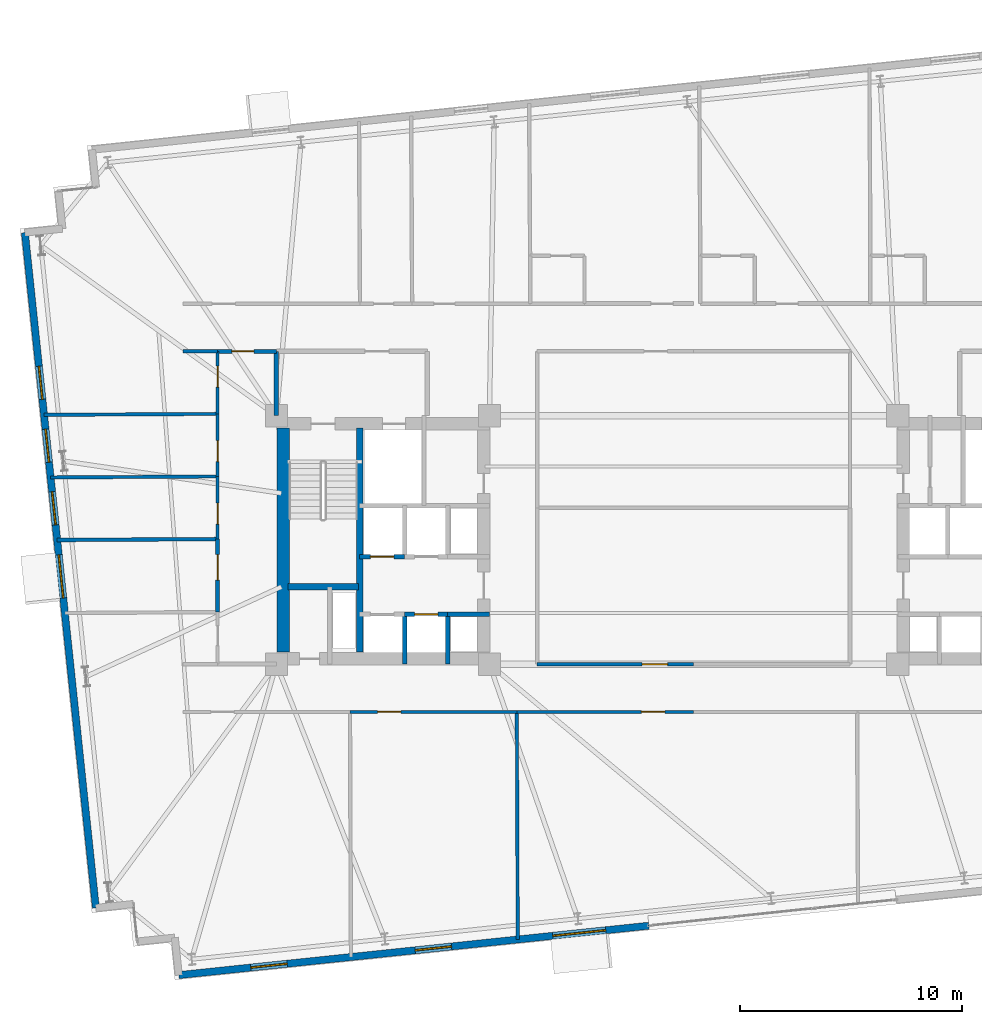
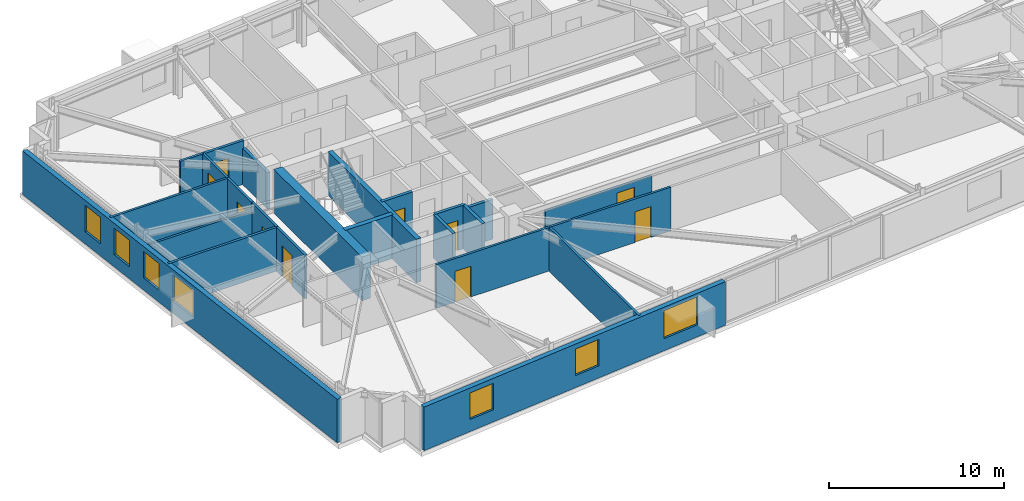
# One storey, part 16 of 23: 24 walls, 10 doors, 7 windows, 17 openings.
"""IFC4 building model written with IfcOpenShell, lengths in metres."""

from ifc_helpers import new_model, si_unit, direction, frame, frame_2d, origin, place, context, subcontext, project, spatial, rectangle, extrude, material, layer, layer_set, type_object, element, fill, save


model = new_model("IFC4")

# Units and contexts
model_context = context("Model", 3, precision=1e-05, world=origin(), true_north=direction((0.0, 1.0)))
body_context = subcontext(model_context, "Body", "Model", "MODEL_VIEW")
ifc_project = project(units=[si_unit("LENGTHUNIT", "METRE"), si_unit("AREAUNIT", "SQUARE_METRE"), si_unit("VOLUMEUNIT", "CUBIC_METRE"), si_unit("PLANEANGLEUNIT", "RADIAN"), si_unit("MASSUNIT", "GRAM", prefix="KILO")], contexts=[model_context])

# Site, building, storey
site_placement = place(None, origin())
site = spatial("IfcSite", under=ifc_project, at=site_placement, CompositionType="ELEMENT")
building_placement = place(site_placement, origin())
building = spatial("IfcBuilding", under=site, at=building_placement, Name="Qobustan Lattice House", CompositionType="ELEMENT")
storey_placement = place(building_placement, frame((0.0, 0.0, 95.75)))
storey = spatial("IfcBuildingStorey", under=building, at=storey_placement, Name="L26", CompositionType="ELEMENT", Elevation=95.75)

# Walls
ifc_material_1 = material(Name="Concrete C60/75", Category="concrete")
ifc_layer_1 = layer(ifc_material_1, 0.56005859375)
ifc_layer_set_1 = layer_set([ifc_layer_1], Name="Concrete C60/75")
wall_type_1 = type_object("IfcWallType", Name="WAL-CORE-600", PredefinedType="SHEAR", material=ifc_layer_set_1)
wall_1_placement = place(storey_placement, frame((-18.489990234375, -5.050048828125, 0.0), z_axis=(0.0, 0.0, 1.0), x_axis=(0.0, 1.0, 0.0)))
element("IfcWall", 1, at=wall_1_placement, inside=storey, type_object=wall_type_1, Name="L26 split-core shear wall CW-W", PredefinedType="SHEAR", context=body_context, shape_type="SweptSolid", body=[
    extrude(rectangle(XDim=10.10009765625, YDim=0.56005859375, at=frame_2d((5.050048828125, 0.0))), origin(), (0.0, 0.0, 1.0), 3.044921875),
])
ifc_material_2 = material(Name="Concrete C50/60", Category="concrete")
ifc_layer_2 = layer(ifc_material_2, 0.280029296875)
ifc_layer_set_2 = layer_set([ifc_layer_2], Name="Concrete C50/60")
wall_type_2 = type_object("IfcWallType", Name="WAL-CORE-SPINE-280", PredefinedType="SHEAR", material=ifc_layer_set_2)
wall_2_placement = place(storey_placement, frame((-15.050048828125, -5.050048828125, 0.0), z_axis=(0.0, 0.0, 1.0), x_axis=(0.0, 1.0, 0.0)))
element("IfcWall", 2, at=wall_2_placement, inside=storey, type_object=wall_type_2, Name="L26 split-core shear wall CW-M", PredefinedType="SHEAR", context=body_context, shape_type="SweptSolid", body=[
    extrude(rectangle(XDim=10.10009765625, YDim=0.300048828125, at=frame_2d((5.050048828125, 0.0))), origin(), (0.0, 0.0, 1.0), 3.044921875),
])
wall_3_placement = place(storey_placement, frame((-18.280029296875, -2.110107421875, 0.0), z_axis=(0.0, 0.0, 1.0), x_axis=(1.0, 0.0, 0.0)))
element("IfcWall", 3, at=wall_3_placement, inside=storey, type_object=wall_type_2, Name="L26 split-core shear wall CW-ST", PredefinedType="SHEAR", context=body_context, shape_type="SweptSolid", body=[
    extrude(rectangle(XDim=3.179931640625, YDim=0.300048828125, at=frame_2d((1.58984375, 0.0))), origin(), (0.0, 0.0, 1.0), 3.044921875),
])

# Wall, openings, windows
ifc_material_3 = material(Name="Precast concrete C40/50", Category="concrete")
ifc_layer_3 = layer(ifc_material_3, 0.320068359375)
ifc_layer_set_3 = layer_set([ifc_layer_3], Name="Precast concrete C40/50")
wall_type_3 = type_object("IfcWallType", Name="WAL-EXT-STONE-320", PredefinedType="SOLIDWALL", material=ifc_layer_set_3)
wall_4_placement = place(storey_placement, frame((-26.934814453125, -16.58349609375, 0.0), z_axis=(0.0, 0.0, 1.0), x_axis=(-0.104524887486, 0.994522271192, 0.0)))
wall_4 = element("IfcWall", 4, at=wall_4_placement, inside=storey, type_object=wall_type_3, Name="L26 exterior limestone-clad wall 5", PredefinedType="SOLIDWALL", context=body_context, shape_type="SweptSolid", body=[
    extrude(rectangle(XDim=30.600341796875, YDim=0.320068359375, at=frame_2d((15.30029296875, 0.0))), origin(), (0.0, 0.0, 1.0), 3.044921875),
])
opening_1_placement = place(wall_4_placement, frame((14.044677734375, 0.0, 0.85009765625)))
opening_1 = element("IfcOpeningElement", 5, at=opening_1_placement, cuts=wall_4, Name="Opening WN-08", PredefinedType="OPENING", context=body_context, shape_type="SweptSolid", body=[
    extrude(rectangle(XDim=1.949951171875, YDim=1.85009765625, at=frame_2d((0.97509765625, 0.925048828125))), frame((0.0, 0.169921875, 0.0), z_axis=(0.0, -1.0, 0.0), x_axis=(1.0, 0.0, 0.0)), (0.0, 0.0, 1.0), 0.340087890625),
])
opening_2_placement = place(wall_4_placement, frame((17.353759765625, 0.0, 0.85009765625)))
opening_2 = element("IfcOpeningElement", 6, at=opening_2_placement, cuts=wall_4, Name="Opening WN-01", PredefinedType="OPENING", context=body_context, shape_type="SweptSolid", body=[
    extrude(rectangle(XDim=1.5, YDim=1.85009765625, at=frame_2d((0.75, 0.925048828125))), frame((0.0, 0.169921875, 0.0), z_axis=(0.0, -1.0, 0.0), x_axis=(1.0, 0.0, 0.0)), (0.0, 0.0, 1.0), 0.340087890625),
])
opening_3_placement = place(wall_4_placement, frame((20.197509765625, 0.0, 0.85009765625)))
opening_3 = element("IfcOpeningElement", 7, at=opening_3_placement, cuts=wall_4, Name="Opening WN-01", PredefinedType="OPENING", context=body_context, shape_type="SweptSolid", body=[
    extrude(rectangle(XDim=1.5, YDim=1.85009765625, at=frame_2d((0.75, 0.925048828125))), frame((0.0, 0.169921875, 0.0), z_axis=(0.0, -1.0, 0.0), x_axis=(1.0, 0.0, 0.0)), (0.0, 0.0, 1.0), 0.340087890625),
])
opening_4_placement = place(wall_4_placement, frame((23.041015625, 0.0, 0.85009765625)))
opening_4 = element("IfcOpeningElement", 8, at=opening_4_placement, cuts=wall_4, Name="Opening WN-01", PredefinedType="OPENING", context=body_context, shape_type="SweptSolid", body=[
    extrude(rectangle(XDim=1.5, YDim=1.85009765625, at=frame_2d((0.75, 0.925048828125))), frame((0.0, 0.169921875, 0.0), z_axis=(0.0, -1.0, 0.0), x_axis=(1.0, 0.0, 0.0)), (0.0, 0.0, 1.0), 0.340087890625),
])
ifc_material_4 = material(Name="Double-glazed low-E aluminium window", Category="aluminium")
window_type_1 = type_object("IfcWindowType", Name="WIN-BED-1500x1850", PartitioningType="SINGLE_PANEL", PredefinedType="WINDOW", material=ifc_material_4)
window_1_placement = place(opening_2_placement, origin())
window_1 = element("IfcWindow", 9, at=window_1_placement, inside=storey, type_object=window_type_1, Name="L26 Cluster bedroom L26W1 window", OverallHeight=1.85009765625, OverallWidth=1.5, PartitioningType="SINGLE_PANEL", PredefinedType="WINDOW", context=body_context, shape_type="SweptSolid", body=[
    extrude(rectangle(XDim=1.5, YDim=1.85009765625, at=frame_2d((0.75, 0.925048828125))), frame((0.0, 0.030029296875, 0.0), z_axis=(0.0, -1.0, 0.0), x_axis=(1.0, 0.0, 0.0)), (0.0, 0.0, 1.0), 0.06005859375),
])
fill(opening_2, window_1)
window_2_placement = place(opening_3_placement, origin())
window_2 = element("IfcWindow", 10, at=window_2_placement, inside=storey, type_object=window_type_1, Name="L26 Cluster bedroom L26W2 window", OverallHeight=1.85009765625, OverallWidth=1.5, PartitioningType="SINGLE_PANEL", PredefinedType="WINDOW", context=body_context, shape_type="SweptSolid", body=[
    extrude(rectangle(XDim=1.5, YDim=1.85009765625, at=frame_2d((0.75, 0.925048828125))), frame((0.0, 0.030029296875, 0.0), z_axis=(0.0, -1.0, 0.0), x_axis=(1.0, 0.0, 0.0)), (0.0, 0.0, 1.0), 0.06005859375),
])
fill(opening_3, window_2)
window_3_placement = place(opening_4_placement, origin())
window_3 = element("IfcWindow", 11, at=window_3_placement, inside=storey, type_object=window_type_1, Name="L26 Cluster bedroom L26W3 window", OverallHeight=1.85009765625, OverallWidth=1.5, PartitioningType="SINGLE_PANEL", PredefinedType="WINDOW", context=body_context, shape_type="SweptSolid", body=[
    extrude(rectangle(XDim=1.5, YDim=1.85009765625, at=frame_2d((0.75, 0.925048828125))), frame((0.0, 0.030029296875, 0.0), z_axis=(0.0, -1.0, 0.0), x_axis=(1.0, 0.0, 0.0)), (0.0, 0.0, 1.0), 0.06005859375),
])
fill(opening_4, window_3)
ifc_material_5 = material(Name="Double-glazed low-E aluminium window", Category="aluminium")
window_type_2 = type_object("IfcWindowType", Name="WIN-KIT-1950x1850", PartitioningType="SINGLE_PANEL", PredefinedType="WINDOW", material=ifc_material_5)
window_4_placement = place(opening_1_placement, origin())
window_4 = element("IfcWindow", 12, at=window_4_placement, inside=storey, type_object=window_type_2, Name="L26 Shared kitchen L26W window", OverallHeight=1.85009765625, OverallWidth=1.949951171875, PartitioningType="SINGLE_PANEL", PredefinedType="WINDOW", context=body_context, shape_type="SweptSolid", body=[
    extrude(rectangle(XDim=1.949951171875, YDim=1.85009765625, at=frame_2d((0.97509765625, 0.925048828125))), frame((0.0, 0.030029296875, 0.0), z_axis=(0.0, -1.0, 0.0), x_axis=(1.0, 0.0, 0.0)), (0.0, 0.0, 1.0), 0.06005859375),
])
fill(opening_1, window_4)

wall_5_placement = place(storey_placement, frame((-2.0146484375, -17.3828125, 0.0), z_axis=(0.0, 0.0, 1.0), x_axis=(-0.994521393935, -0.104533233979, 0.0)))
wall_5 = element("IfcWall", 13, at=wall_5_placement, inside=storey, type_object=wall_type_3, Name="L26 iwan flank stone wall B", PredefinedType="SOLIDWALL", context=body_context, shape_type="SweptSolid", body=[
    extrude(rectangle(XDim=21.300048828125, YDim=0.320068359375, at=frame_2d((10.64990234375, 0.0))), origin(), (0.0, 0.0, 1.0), 3.044921875),
])
opening_5_placement = place(wall_5_placement, frame((1.952880859375, 0.0, 0.85009765625)))
opening_5 = element("IfcOpeningElement", 14, at=opening_5_placement, cuts=wall_5, Name="Opening WN-10", PredefinedType="OPENING", context=body_context, shape_type="SweptSolid", body=[
    extrude(rectangle(XDim=2.39990234375, YDim=1.949951171875, at=frame_2d((1.199951171875, 0.97509765625))), frame((0.0, 0.169921875, 0.0), z_axis=(0.0, -1.0, 0.0), x_axis=(1.0, 0.0, 0.0)), (0.0, 0.0, 1.0), 0.340087890625),
])
opening_6_placement = place(wall_5_placement, frame((8.944091796875, 0.0, 0.85009765625)))
opening_6 = element("IfcOpeningElement", 15, at=opening_6_placement, cuts=wall_5, Name="Opening WN-09", PredefinedType="OPENING", context=body_context, shape_type="SweptSolid", body=[
    extrude(rectangle(XDim=1.64990234375, YDim=1.85009765625, at=frame_2d((0.824951171875, 0.925048828125))), frame((0.0, 0.169921875, 0.0), z_axis=(0.0, -1.0, 0.0), x_axis=(1.0, 0.0, 0.0)), (0.0, 0.0, 1.0), 0.340087890625),
])
opening_7_placement = place(wall_5_placement, frame((16.39111328125, 0.0, 0.85009765625)))
opening_7 = element("IfcOpeningElement", 16, at=opening_7_placement, cuts=wall_5, Name="Opening WN-09", PredefinedType="OPENING", context=body_context, shape_type="SweptSolid", body=[
    extrude(rectangle(XDim=1.64990234375, YDim=1.85009765625, at=frame_2d((0.824951171875, 0.925048828125))), frame((0.0, 0.169921875, 0.0), z_axis=(0.0, -1.0, 0.0), x_axis=(1.0, 0.0, 0.0)), (0.0, 0.0, 1.0), 0.340087890625),
])
ifc_material_6 = material(Name="Double-glazed low-E aluminium window", Category="aluminium")
window_type_3 = type_object("IfcWindowType", Name="WIN-LNG-2400x1950", PartitioningType="SINGLE_PANEL", PredefinedType="WINDOW", material=ifc_material_6)
window_5_placement = place(opening_5_placement, origin())
window_5 = element("IfcWindow", 17, at=window_5_placement, inside=storey, type_object=window_type_3, Name="L26 Walnut iwan sky lounge S2 window", OverallHeight=1.949951171875, OverallWidth=2.39990234375, PartitioningType="SINGLE_PANEL", PredefinedType="WINDOW", context=body_context, shape_type="SweptSolid", body=[
    extrude(rectangle(XDim=2.39990234375, YDim=1.949951171875, at=frame_2d((1.199951171875, 0.97509765625))), frame((0.0, 0.030029296875, 0.0), z_axis=(0.0, -1.0, 0.0), x_axis=(1.0, 0.0, 0.0)), (0.0, 0.0, 1.0), 0.06005859375),
])
fill(opening_5, window_5)
ifc_material_7 = material(Name="Double-glazed low-E aluminium window", Category="aluminium")
window_type_4 = type_object("IfcWindowType", Name="WIN-STU-1650x1850", PartitioningType="SINGLE_PANEL", PredefinedType="WINDOW", material=ifc_material_7)
window_6_placement = place(opening_6_placement, origin())
window_6 = element("IfcWindow", 18, at=window_6_placement, inside=storey, type_object=window_type_4, Name="L26 Focus study room S1B window", OverallHeight=1.85009765625, OverallWidth=1.64990234375, PartitioningType="SINGLE_PANEL", PredefinedType="WINDOW", context=body_context, shape_type="SweptSolid", body=[
    extrude(rectangle(XDim=1.64990234375, YDim=1.85009765625, at=frame_2d((0.824951171875, 0.925048828125))), frame((0.0, 0.030029296875, 0.0), z_axis=(0.0, -1.0, 0.0), x_axis=(1.0, 0.0, 0.0)), (0.0, 0.0, 1.0), 0.06005859375),
])
fill(opening_6, window_6)
window_7_placement = place(opening_7_placement, origin())
window_7 = element("IfcWindow", 19, at=window_7_placement, inside=storey, type_object=window_type_4, Name="L26 Focus study room S1A window", OverallHeight=1.85009765625, OverallWidth=1.64990234375, PartitioningType="SINGLE_PANEL", PredefinedType="WINDOW", context=body_context, shape_type="SweptSolid", body=[
    extrude(rectangle(XDim=1.64990234375, YDim=1.85009765625, at=frame_2d((0.824951171875, 0.925048828125))), frame((0.0, 0.030029296875, 0.0), z_axis=(0.0, -1.0, 0.0), x_axis=(1.0, 0.0, 0.0)), (0.0, 0.0, 1.0), 0.06005859375),
])
fill(opening_7, window_7)

# Wall, opening, door
ifc_material_8 = material(Name="Gypsum fireboard acoustic partition", Category="gypsum")
ifc_layer_4 = layer(ifc_material_8, 0.179931640625)
ifc_layer_set_4 = layer_set([ifc_layer_4], Name="Gypsum fireboard acoustic partition")
wall_type_4 = type_object("IfcWallType", Name="WAL-FIRE-180", PredefinedType="PARTITIONING", material=ifc_layer_set_4)
wall_6_placement = place(storey_placement, frame((-18.800048828125, 8.5, 0.0), z_axis=(0.0, 0.0, 1.0), x_axis=(-1.0, 0.0, 0.0)))
wall_6 = element("IfcWall", 20, at=wall_6_placement, inside=storey, type_object=wall_type_4, Name="L26 interior partition 36", PredefinedType="PARTITIONING", context=body_context, shape_type="SweptSolid", body=[
    extrude(rectangle(XDim=2.64990234375, YDim=0.179931640625, at=frame_2d((1.324951171875, 0.0))), origin(), (0.0, 0.0, 1.0), 3.044921875),
])
opening_8_placement = place(wall_6_placement, frame((1.0087890625, 0.0, 0.0)))
opening_8 = element("IfcOpeningElement", 21, at=opening_8_placement, cuts=wall_6, Name="Opening FD-02", PredefinedType="OPENING", context=body_context, shape_type="SweptSolid", body=[
    extrude(rectangle(XDim=1.0, YDim=2.14990234375, at=frame_2d((0.5, 1.074951171875))), frame((0.0, 0.099853515625, 0.0), z_axis=(0.0, -1.0, 0.0), x_axis=(1.0, 0.0, 0.0)), (0.0, 0.0, 1.0), 0.199951171875),
])
ifc_material_9 = material(Name="Persian walnut timber and steel frame door", Category="steel")
door_type_1 = type_object("IfcDoorType", Name="DOR-UNIT-FD-1000x2150", OperationType="NOTDEFINED", PredefinedType="DOOR", material=ifc_material_9)
door_1_placement = place(opening_8_placement, origin())
door_1 = element("IfcDoor", 22, at=door_1_placement, inside=storey, type_object=door_type_1, Name="L26 North-west floor corridor to Residence entrance hall L26W door", OperationType="SINGLE_SWING_RIGHT", OverallHeight=2.14990234375, OverallWidth=1.0, PredefinedType="DOOR", context=body_context, shape_type="SweptSolid", body=[
    extrude(rectangle(XDim=1.0, YDim=2.14990234375, at=frame_2d((0.5, 1.074951171875))), frame((0.0, 0.02490234375, 0.0), z_axis=(0.0, -1.0, 0.0), x_axis=(1.0, 0.0, 0.0)), (0.0, 0.0, 1.0), 0.050048828125),
])
fill(opening_8, door_1)

# Wall
ifc_material_10 = material(Name="Acoustic twin-stud gypsum partition", Category="gypsum")
ifc_layer_5 = layer(ifc_material_10, 0.14990234375)
ifc_layer_set_5 = layer_set([ifc_layer_5], Name="Acoustic twin-stud gypsum partition")
wall_type_5 = type_object("IfcWallType", Name="WAL-PART-150", PredefinedType="PARTITIONING", material=ifc_layer_set_5)
wall_7_placement = place(storey_placement, frame((-21.449951171875, 8.5, 0.0), z_axis=(0.0, 0.0, 1.0), x_axis=(-1.0, 0.0, 0.0)))
element("IfcWall", 23, at=wall_7_placement, inside=storey, type_object=wall_type_5, Name="L26 interior partition 37", PredefinedType="PARTITIONING", context=body_context, shape_type="SweptSolid", body=[
    extrude(rectangle(XDim=1.550048828125, YDim=0.14990234375, at=frame_2d((0.77490234375, 0.0))), origin(), (0.0, 0.0, 1.0), 3.044921875),
])

# Wall, opening, door
wall_8_placement = place(storey_placement, frame((-7.967041015625, -7.75, 0.0), z_axis=(0.0, 0.0, 1.0), x_axis=(-1.0, 0.0, 0.0)))
wall_8 = element("IfcWall", 24, at=wall_8_placement, inside=storey, type_object=wall_type_5, Name="L26 interior partition 56", PredefinedType="PARTITIONING", context=body_context, shape_type="SweptSolid", body=[
    extrude(rectangle(XDim=7.516357421875, YDim=0.14990234375, at=frame_2d((3.75830078125, 0.0))), origin(), (0.0, 0.0, 1.0), 3.044921875),
])
opening_9_placement = place(wall_8_placement, frame((5.22314453125, 0.0, 0.0)))
opening_9 = element("IfcOpeningElement", 25, at=opening_9_placement, cuts=wall_8, Name="Opening ID-02", PredefinedType="OPENING", context=body_context, shape_type="SweptSolid", body=[
    extrude(rectangle(XDim=1.050048828125, YDim=2.14990234375, at=frame_2d((0.52490234375, 1.074951171875))), frame((0.0, 0.0849609375, 0.0), z_axis=(0.0, -1.0, 0.0), x_axis=(1.0, 0.0, 0.0)), (0.0, 0.0, 1.0), 0.169921875),
])
ifc_material_11 = material(Name="Persian walnut timber and steel frame door", Category="steel")
door_type_2 = type_object("IfcDoorType", Name="DOR-STUDY-1050x2150", OperationType="NOTDEFINED", PredefinedType="DOOR", material=ifc_material_11)
door_2_placement = place(opening_9_placement, origin())
door_2 = element("IfcDoor", 26, at=door_2_placement, inside=storey, type_object=door_type_2, Name="L26 South-west floor corridor to Focus study room S1B door", OperationType="SINGLE_SWING_RIGHT", OverallHeight=2.14990234375, OverallWidth=1.050048828125, PredefinedType="DOOR", context=body_context, shape_type="SweptSolid", body=[
    extrude(rectangle(XDim=1.050048828125, YDim=2.14990234375, at=frame_2d((0.52490234375, 1.074951171875))), frame((0.0, 0.02490234375, 0.0), z_axis=(0.0, -1.0, 0.0), x_axis=(1.0, 0.0, 0.0)), (0.0, 0.0, 1.0), 0.050048828125),
])
fill(opening_9, door_2)

wall_9_placement = place(storey_placement, frame((0.0, -7.75, 0.0), z_axis=(0.0, 0.0, 1.0), x_axis=(-1.0, 0.0, 0.0)))
wall_9 = element("IfcWall", 27, at=wall_9_placement, inside=storey, type_object=wall_type_5, Name="L26 interior partition 57", PredefinedType="PARTITIONING", context=body_context, shape_type="SweptSolid", body=[
    extrude(rectangle(XDim=7.967041015625, YDim=0.14990234375, at=frame_2d((3.9833984375, 0.0))), origin(), (0.0, 0.0, 1.0), 3.044921875),
])
opening_10_placement = place(wall_9_placement, frame((1.299560546875, 0.0, 0.0)))
opening_10 = element("IfcOpeningElement", 28, at=opening_10_placement, cuts=wall_9, Name="Opening ID-02", PredefinedType="OPENING", context=body_context, shape_type="SweptSolid", body=[
    extrude(rectangle(XDim=1.050048828125, YDim=2.14990234375, at=frame_2d((0.52490234375, 1.074951171875))), frame((0.0, 0.0849609375, 0.0), z_axis=(0.0, -1.0, 0.0), x_axis=(1.0, 0.0, 0.0)), (0.0, 0.0, 1.0), 0.169921875),
])
door_3_placement = place(opening_10_placement, origin())
door_3 = element("IfcDoor", 29, at=door_3_placement, inside=storey, type_object=door_type_2, Name="L26 South-west floor corridor to Walnut iwan sky lounge S2 door", OperationType="SINGLE_SWING_LEFT", OverallHeight=2.14990234375, OverallWidth=1.050048828125, PredefinedType="DOOR", context=body_context, shape_type="SweptSolid", body=[
    extrude(rectangle(XDim=1.050048828125, YDim=2.14990234375, at=frame_2d((0.52490234375, 1.074951171875))), frame((0.0, 0.02490234375, 0.0), z_axis=(0.0, -1.0, 0.0), x_axis=(1.0, 0.0, 0.0)), (0.0, 0.0, 1.0), 0.050048828125),
])
fill(opening_10, door_3)

wall_10_placement = place(storey_placement, frame((-21.449951171875, 0.0400390625, 0.0), z_axis=(0.0, 0.0, 1.0), x_axis=(0.0, 1.0, 0.0)))
wall_10 = element("IfcWall", 30, at=wall_10_placement, inside=storey, type_object=wall_type_5, Name="L26 interior partition 70", PredefinedType="PARTITIONING", context=body_context, shape_type="SweptSolid", body=[
    extrude(rectangle(XDim=2.820068359375, YDim=0.14990234375, at=frame_2d((1.41015625, 0.0))), origin(), (0.0, 0.0, 1.0), 3.044921875),
])
opening_11_placement = place(wall_10_placement, frame((0.668701171875, 0.0, 0.0)))
opening_11 = element("IfcOpeningElement", 31, at=opening_11_placement, cuts=wall_10, Name="Opening ID-01", PredefinedType="OPENING", context=body_context, shape_type="SweptSolid", body=[
    extrude(rectangle(XDim=0.949951171875, YDim=2.10009765625, at=frame_2d((0.47509765625, 1.050048828125))), frame((0.0, 0.0849609375, 0.0), z_axis=(0.0, -1.0, 0.0), x_axis=(1.0, 0.0, 0.0)), (0.0, 0.0, 1.0), 0.169921875),
])
ifc_material_12 = material(Name="Persian walnut timber and steel frame door", Category="steel")
door_type_3 = type_object("IfcDoorType", Name="DOR-ROOM-950x2100", OperationType="NOTDEFINED", PredefinedType="DOOR", material=ifc_material_12)
door_4_placement = place(opening_11_placement, origin())
door_4 = element("IfcDoor", 32, at=door_4_placement, inside=storey, type_object=door_type_3, Name="L26 Residence entrance hall L26W to Cluster bedroom L26W1 door", OperationType="SINGLE_SWING_LEFT", OverallHeight=2.10009765625, OverallWidth=0.949951171875, PredefinedType="DOOR", context=body_context, shape_type="SweptSolid", body=[
    extrude(rectangle(XDim=0.949951171875, YDim=2.10009765625, at=frame_2d((0.47509765625, 1.050048828125))), frame((0.0, 0.02490234375, 0.0), z_axis=(0.0, -1.0, 0.0), x_axis=(1.0, 0.0, 0.0)), (0.0, 0.0, 1.0), 0.050048828125),
])
fill(opening_11, door_4)

wall_11_placement = place(storey_placement, frame((-21.449951171875, 2.860107421875, 0.0), z_axis=(0.0, 0.0, 1.0), x_axis=(0.0, 1.0, 0.0)))
wall_11 = element("IfcWall", 33, at=wall_11_placement, inside=storey, type_object=wall_type_5, Name="L26 interior partition 71", PredefinedType="PARTITIONING", context=body_context, shape_type="SweptSolid", body=[
    extrude(rectangle(XDim=2.81982421875, YDim=0.14990234375, at=frame_2d((1.409912109375, 0.0))), origin(), (0.0, 0.0, 1.0), 3.044921875),
])
opening_12_placement = place(wall_11_placement, frame((0.668701171875, 0.0, 0.0)))
opening_12 = element("IfcOpeningElement", 34, at=opening_12_placement, cuts=wall_11, Name="Opening ID-01", PredefinedType="OPENING", context=body_context, shape_type="SweptSolid", body=[
    extrude(rectangle(XDim=0.949951171875, YDim=2.10009765625, at=frame_2d((0.47509765625, 1.050048828125))), frame((0.0, 0.0849609375, 0.0), z_axis=(0.0, -1.0, 0.0), x_axis=(1.0, 0.0, 0.0)), (0.0, 0.0, 1.0), 0.169921875),
])
door_5_placement = place(opening_12_placement, origin())
door_5 = element("IfcDoor", 35, at=door_5_placement, inside=storey, type_object=door_type_3, Name="L26 Residence entrance hall L26W to Cluster bedroom L26W2 door", OperationType="SINGLE_SWING_RIGHT", OverallHeight=2.10009765625, OverallWidth=0.949951171875, PredefinedType="DOOR", context=body_context, shape_type="SweptSolid", body=[
    extrude(rectangle(XDim=0.949951171875, YDim=2.10009765625, at=frame_2d((0.47509765625, 1.050048828125))), frame((0.0, 0.02490234375, 0.0), z_axis=(0.0, -1.0, 0.0), x_axis=(1.0, 0.0, 0.0)), (0.0, 0.0, 1.0), 0.050048828125),
])
fill(opening_12, door_5)

wall_12_placement = place(storey_placement, frame((-21.449951171875, 5.679931640625, 0.0), z_axis=(0.0, 0.0, 1.0), x_axis=(0.0, 1.0, 0.0)))
wall_12 = element("IfcWall", 36, at=wall_12_placement, inside=storey, type_object=wall_type_5, Name="L26 interior partition 72", PredefinedType="PARTITIONING", context=body_context, shape_type="SweptSolid", body=[
    extrude(rectangle(XDim=2.820068359375, YDim=0.14990234375, at=frame_2d((1.41015625, 0.0))), origin(), (0.0, 0.0, 1.0), 3.044921875),
])
opening_13_placement = place(wall_12_placement, frame((1.201171875, 0.0, 0.0)))
opening_13 = element("IfcOpeningElement", 37, at=opening_13_placement, cuts=wall_12, Name="Opening ID-01", PredefinedType="OPENING", context=body_context, shape_type="SweptSolid", body=[
    extrude(rectangle(XDim=0.949951171875, YDim=2.10009765625, at=frame_2d((0.47509765625, 1.050048828125))), frame((0.0, 0.0849609375, 0.0), z_axis=(0.0, -1.0, 0.0), x_axis=(1.0, 0.0, 0.0)), (0.0, 0.0, 1.0), 0.169921875),
])
door_6_placement = place(opening_13_placement, origin())
door_6 = element("IfcDoor", 38, at=door_6_placement, inside=storey, type_object=door_type_3, Name="L26 Residence entrance hall L26W to Cluster bedroom L26W3 door", OperationType="SINGLE_SWING_LEFT", OverallHeight=2.10009765625, OverallWidth=0.949951171875, PredefinedType="DOOR", context=body_context, shape_type="SweptSolid", body=[
    extrude(rectangle(XDim=0.949951171875, YDim=2.10009765625, at=frame_2d((0.47509765625, 1.050048828125))), frame((0.0, 0.02490234375, 0.0), z_axis=(0.0, -1.0, 0.0), x_axis=(1.0, 0.0, 0.0)), (0.0, 0.0, 1.0), 0.050048828125),
])
fill(opening_13, door_6)

# Walls
wall_13_placement = place(storey_placement, frame((-28.9736328125, 2.816162109375, 0.0), z_axis=(0.0, 0.0, 1.0), x_axis=(0.999982942193, 0.00584083232, 0.0)))
element("IfcWall", 39, at=wall_13_placement, inside=storey, type_object=wall_type_5, Name="L26 interior partition 75", PredefinedType="PARTITIONING", context=body_context, shape_type="SweptSolid", body=[
    extrude(rectangle(XDim=7.52392578125, YDim=0.14990234375, at=frame_2d((3.761962890625, 0.0))), origin(), (0.0, 0.0, 1.0), 2.530029296875),
])
wall_14_placement = place(storey_placement, frame((-29.27001953125, 5.635986328125, 0.0), z_axis=(0.0, 0.0, 1.0), x_axis=(0.999984210669, 0.005619467326, 0.0)))
element("IfcWall", 40, at=wall_14_placement, inside=storey, type_object=wall_type_5, Name="L26 interior partition 76", PredefinedType="PARTITIONING", context=body_context, shape_type="SweptSolid", body=[
    extrude(rectangle(XDim=7.8203125, YDim=0.14990234375, at=frame_2d((3.91015625, 0.0))), origin(), (0.0, 0.0, 1.0), 3.044921875),
])
wall_15_placement = place(storey_placement, frame((-7.967041015625, -7.75, 0.0), z_axis=(0.0, 0.0, 1.0), x_axis=(0.004285674928, -0.999990816453, 0.0)))
element("IfcWall", 41, at=wall_15_placement, inside=storey, type_object=wall_type_5, Name="L26 interior partition 105", PredefinedType="PARTITIONING", context=body_context, shape_type="SweptSolid", body=[
    extrude(rectangle(XDim=10.25390625, YDim=0.14990234375, at=frame_2d((5.126953125, 0.0))), origin(), (0.0, 0.0, 1.0), 3.044921875),
])

# Wall, opening, door
ifc_material_13 = material(Name="High-mass acoustic twin-stud partition", Category="gypsum")
ifc_layer_6 = layer(ifc_material_13, 0.1650390625)
ifc_layer_set_6 = layer_set([ifc_layer_6], Name="High-mass acoustic twin-stud partition")
wall_type_6 = type_object("IfcWallType", Name="WAL-PART-165", PredefinedType="PARTITIONING", material=ifc_layer_set_6)
wall_16_placement = place(storey_placement, frame((-7.050048828125, -5.60009765625, 0.0), z_axis=(0.0, 0.0, 1.0), x_axis=(1.0, 0.0, 0.0)))
wall_16 = element("IfcWall", 42, at=wall_16_placement, inside=storey, type_object=wall_type_6, Name="L26 interior partition 58", PredefinedType="PARTITIONING", context=body_context, shape_type="SweptSolid", body=[
    extrude(rectangle(XDim=7.050048828125, YDim=0.1650390625, at=frame_2d((3.52490234375, 0.0))), origin(), (0.0, 0.0, 1.0), 2.530029296875),
])
opening_14_placement = place(wall_16_placement, frame((4.7275390625, 0.0, 0.0)))
opening_14 = element("IfcOpeningElement", 43, at=opening_14_placement, cuts=wall_16, Name="Opening ID-03", PredefinedType="OPENING", context=body_context, shape_type="SweptSolid", body=[
    extrude(rectangle(XDim=1.14990234375, YDim=2.14990234375, at=frame_2d((0.574951171875, 1.074951171875))), frame((0.0, 0.092529296875, 0.0), z_axis=(0.0, -1.0, 0.0), x_axis=(1.0, 0.0, 0.0)), (0.0, 0.0, 1.0), 0.18505859375),
])
ifc_material_14 = material(Name="Persian walnut timber and steel frame door", Category="steel")
door_type_4 = type_object("IfcDoorType", Name="DOR-KITCH-1150x2150", OperationType="NOTDEFINED", PredefinedType="DOOR", material=ifc_material_14)
door_7_placement = place(opening_14_placement, origin())
door_7 = element("IfcDoor", 44, at=door_7_placement, inside=storey, type_object=door_type_4, Name="L26 South-west floor corridor to Communal dining kitchen door", OperationType="SINGLE_SWING_RIGHT", OverallHeight=2.14990234375, OverallWidth=1.14990234375, PredefinedType="DOOR", context=body_context, shape_type="SweptSolid", body=[
    extrude(rectangle(XDim=1.14990234375, YDim=2.14990234375, at=frame_2d((0.574951171875, 1.074951171875))), frame((0.0, 0.02490234375, 0.0), z_axis=(0.0, -1.0, 0.0), x_axis=(1.0, 0.0, 0.0)), (0.0, 0.0, 1.0), 0.050048828125),
])
fill(opening_14, door_7)

wall_17_placement = place(storey_placement, frame((-21.449951171875, -3.25, 0.0), z_axis=(0.0, 0.0, 1.0), x_axis=(0.0, 1.0, 0.0)))
wall_17 = element("IfcWall", 45, at=wall_17_placement, inside=storey, type_object=wall_type_6, Name="L26 interior partition 69", PredefinedType="PARTITIONING", context=body_context, shape_type="SweptSolid", body=[
    extrude(rectangle(XDim=3.2900390625, YDim=0.1650390625, at=frame_2d((1.64501953125, 0.0))), origin(), (0.0, 0.0, 1.0), 3.044921875),
])
opening_15_placement = place(wall_17_placement, frame((1.4375, 0.0, 0.0)))
opening_15 = element("IfcOpeningElement", 46, at=opening_15_placement, cuts=wall_17, Name="Opening ID-03", PredefinedType="OPENING", context=body_context, shape_type="SweptSolid", body=[
    extrude(rectangle(XDim=1.14990234375, YDim=2.14990234375, at=frame_2d((0.574951171875, 1.074951171875))), frame((0.0, 0.092529296875, 0.0), z_axis=(0.0, -1.0, 0.0), x_axis=(1.0, 0.0, 0.0)), (0.0, 0.0, 1.0), 0.18505859375),
])
door_8_placement = place(opening_15_placement, origin())
door_8 = element("IfcDoor", 47, at=door_8_placement, inside=storey, type_object=door_type_4, Name="L26 Residence entrance hall L26W to Shared kitchen L26W door", OperationType="SINGLE_SWING_RIGHT", OverallHeight=2.14990234375, OverallWidth=1.14990234375, PredefinedType="DOOR", context=body_context, shape_type="SweptSolid", body=[
    extrude(rectangle(XDim=1.14990234375, YDim=2.14990234375, at=frame_2d((0.574951171875, 1.074951171875))), frame((0.0, 0.02490234375, 0.0), z_axis=(0.0, -1.0, 0.0), x_axis=(1.0, 0.0, 0.0)), (0.0, 0.0, 1.0), 0.050048828125),
])
fill(opening_15, door_8)

# Walls
wall_18_placement = place(storey_placement, frame((-28.67724609375, -0.00390625, 0.0), z_axis=(0.0, 0.0, 1.0), x_axis=(0.999981514486, 0.006080352417, 0.0)))
element("IfcWall", 48, at=wall_18_placement, inside=storey, type_object=wall_type_6, Name="L26 interior partition 74", PredefinedType="PARTITIONING", context=body_context, shape_type="SweptSolid", body=[
    extrude(rectangle(XDim=7.2275390625, YDim=0.1650390625, at=frame_2d((3.61376953125, 0.0))), origin(), (0.0, 0.0, 1.0), 3.044921875),
])
ifc_material_15 = material(Name="Two-hour gypsum fireboard acoustic partition", Category="gypsum")
ifc_layer_7 = layer(ifc_material_15, 0.199951171875)
ifc_layer_set_7 = layer_set([ifc_layer_7], Name="Two-hour gypsum fireboard acoustic partition")
wall_type_7 = type_object("IfcWallType", Name="WAL-PROT-200", PredefinedType="PARTITIONING", material=ifc_layer_set_7)
wall_19_placement = place(storey_placement, frame((-18.800048828125, 8.5, 0.0), z_axis=(0.0, 0.0, 1.0), x_axis=(0.0, -1.0, 0.0)))
element("IfcWall", 49, at=wall_19_placement, inside=storey, type_object=wall_type_7, Name="L26 interior partition 5", PredefinedType="PARTITIONING", context=body_context, shape_type="SweptSolid", body=[
    extrude(rectangle(XDim=2.89990234375, YDim=0.199951171875, at=frame_2d((1.449951171875, 0.0))), origin(), (0.0, 0.0, 1.0), 2.530029296875),
])

# Wall, opening, door
ifc_material_16 = material(Name="Concrete C40/50", Category="concrete")
ifc_layer_8 = layer(ifc_material_16, 0.199951171875)
ifc_layer_set_8 = layer_set([ifc_layer_8], Name="Concrete C40/50")
wall_type_8 = type_object("IfcWallType", Name="WAL-SHAFT-200", PredefinedType="PARTITIONING", material=ifc_layer_set_8)
wall_20_placement = place(storey_placement, frame((-13.02001953125, -3.35009765625, 0.0), z_axis=(0.0, 0.0, 1.0), x_axis=(1.0, 0.0, 0.0)))
wall_20 = element("IfcWall", 50, at=wall_20_placement, inside=storey, type_object=wall_type_8, Name="L26 interior partition 8", PredefinedType="PARTITIONING", context=body_context, shape_type="SweptSolid", body=[
    extrude(rectangle(XDim=1.93994140625, YDim=0.199951171875, at=frame_2d((0.969970703125, 0.0))), origin(), (0.0, 0.0, 1.0), 3.044921875),
])
opening_16_placement = place(wall_20_placement, frame((0.445068359375, 0.0, 0.0)))
opening_16 = element("IfcOpeningElement", 51, at=opening_16_placement, cuts=wall_20, Name="Opening LD-01", PredefinedType="OPENING", context=body_context, shape_type="SweptSolid", body=[
    extrude(rectangle(XDim=1.050048828125, YDim=2.10009765625, at=frame_2d((0.52490234375, 1.050048828125))), frame((0.0, 0.10986328125, 0.0), z_axis=(0.0, -1.0, 0.0), x_axis=(1.0, 0.0, 0.0)), (0.0, 0.0, 1.0), 0.219970703125),
])
ifc_material_17 = material(Name="Persian walnut timber and steel frame door", Category="steel")
door_type_5 = type_object("IfcDoorType", Name="DOR-LIFT-LD-1050x2100", OperationType="NOTDEFINED", PredefinedType="DOOR", material=ifc_material_17)
door_9_placement = place(opening_16_placement, origin())
door_9 = element("IfcDoor", 52, at=door_9_placement, inside=storey, type_object=door_type_5, Name="L26 lift landing door", OperationType="DOUBLE_DOOR_SLIDING", OverallHeight=2.10009765625, OverallWidth=1.050048828125, PredefinedType="DOOR", context=body_context, shape_type="SweptSolid", body=[
    extrude(rectangle(XDim=1.050048828125, YDim=2.10009765625, at=frame_2d((0.52490234375, 1.050048828125))), frame((0.0, 0.02490234375, 0.0), z_axis=(0.0, -1.0, 0.0), x_axis=(1.0, 0.0, 0.0)), (0.0, 0.0, 1.0), 0.050048828125),
])
fill(opening_16, door_9)

# Wall
wall_21_placement = place(storey_placement, frame((-11.080078125, -3.35009765625, 0.0), z_axis=(0.0, 0.0, 1.0), x_axis=(1.0, 0.0, 0.0)))
element("IfcWall", 53, at=wall_21_placement, inside=storey, type_object=wall_type_8, Name="L26 interior partition 9", PredefinedType="PARTITIONING", context=body_context, shape_type="SweptSolid", body=[
    extrude(rectangle(XDim=1.880126953125, YDim=0.199951171875, at=frame_2d((0.93994140625, 0.0))), origin(), (0.0, 0.0, 1.0), 2.760009765625),
])

# Wall, opening, door
wall_22_placement = place(storey_placement, frame((-13.02001953125, -0.75, 0.0), z_axis=(0.0, 0.0, 1.0), x_axis=(-1.0, 0.0, 0.0)))
wall_22 = element("IfcWall", 54, at=wall_22_placement, inside=storey, type_object=wall_type_8, Name="L26 interior partition 10", PredefinedType="PARTITIONING", context=body_context, shape_type="SweptSolid", body=[
    extrude(rectangle(XDim=2.030029296875, YDim=0.199951171875, at=frame_2d((1.01513671875, 0.0))), origin(), (0.0, 0.0, 1.0), 3.044921875),
])
opening_17_placement = place(wall_22_placement, frame((0.489990234375, 0.0, 0.0)))
opening_17 = element("IfcOpeningElement", 55, at=opening_17_placement, cuts=wall_22, Name="Opening LD-01", PredefinedType="OPENING", context=body_context, shape_type="SweptSolid", body=[
    extrude(rectangle(XDim=1.050048828125, YDim=2.10009765625, at=frame_2d((0.52490234375, 1.050048828125))), frame((0.0, 0.10986328125, 0.0), z_axis=(0.0, -1.0, 0.0), x_axis=(1.0, 0.0, 0.0)), (0.0, 0.0, 1.0), 0.219970703125),
])
door_10_placement = place(opening_17_placement, origin())
door_10 = element("IfcDoor", 56, at=door_10_placement, inside=storey, type_object=door_type_5, Name="L26 lift landing door", OperationType="DOUBLE_DOOR_SLIDING", OverallHeight=2.10009765625, OverallWidth=1.050048828125, PredefinedType="DOOR", context=body_context, shape_type="SweptSolid", body=[
    extrude(rectangle(XDim=1.050048828125, YDim=2.10009765625, at=frame_2d((0.52490234375, 1.050048828125))), frame((0.0, 0.02490234375, 0.0), z_axis=(0.0, -1.0, 0.0), x_axis=(1.0, 0.0, 0.0)), (0.0, 0.0, 1.0), 0.050048828125),
])
fill(opening_17, door_10)

# Walls
for number, where, z_axis, x_axis, name in (
    (57, (-13.02001953125, -5.60009765625, 0.0), (0.0, 0.0, 1.0), (0.0, 1.0, 0.0), "L26 interior partition 14"),
    (58, (-11.080078125, -5.60009765625, 0.0), (0.0, 0.0, 1.0), (0.0, 1.0, 0.0), "L26 interior partition 15"),
):
    element("IfcWall", number, at=place(storey_placement, frame(where, z_axis=z_axis, x_axis=x_axis)), inside=storey, type_object=wall_type_8, Name=name, PredefinedType="PARTITIONING", context=body_context, shape_type="SweptSolid", body=[
        extrude(rectangle(XDim=2.25, YDim=0.199951171875, at=frame_2d((1.125, 0.0))), origin(), (0.0, 0.0, 1.0), 3.044921875),
    ])

save(model, "model.ifc")
